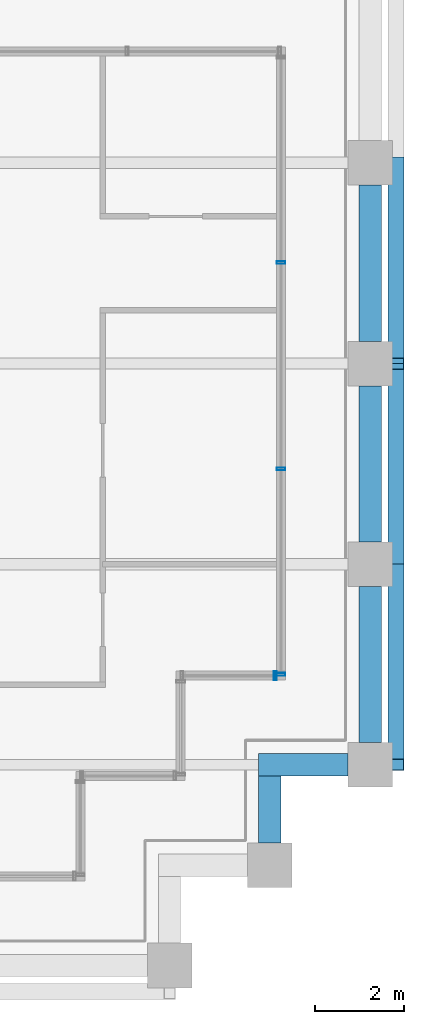
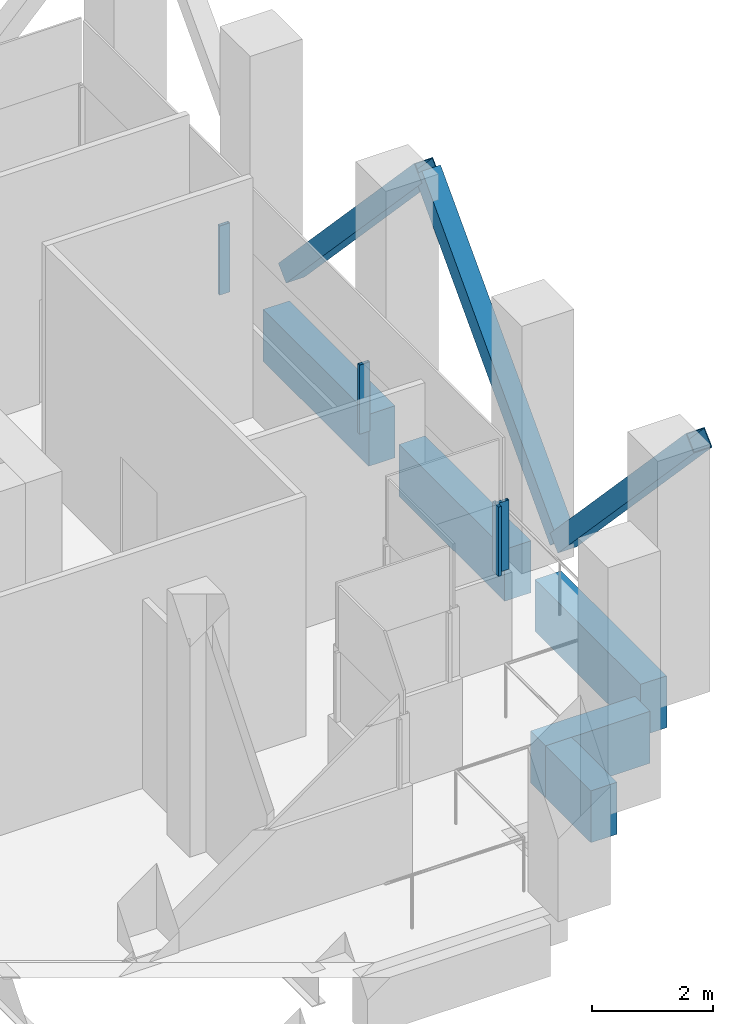
# One storey, part 28 of 48: 7 members, 5 beams, 2 elements without a shape of their own.
"""IFC4 building model written with IfcOpenShell, lengths in metres."""

from ifc_helpers import new_model, si_unit, direction, frame, origin, origin_2d, place, context, subcontext, project, spatial, rectangle, hollow_rectangle, extrude, material, material_profile, profile_set, type_object, element, aggregate, save


model = new_model("IFC4")

# Units and contexts
model_context = context("Model", 3, precision=1e-05, world=origin(), true_north=direction((0.0, 1.0)))
body_context = subcontext(model_context, "Body", "Model", "MODEL_VIEW")
ifc_project = project(units=[si_unit("LENGTHUNIT", "METRE"), si_unit("AREAUNIT", "SQUARE_METRE"), si_unit("VOLUMEUNIT", "CUBIC_METRE"), si_unit("PLANEANGLEUNIT", "RADIAN"), si_unit("MASSUNIT", "GRAM", prefix="KILO")], contexts=[model_context])

# Site, building, storey
site_placement = place(None, origin())
site = spatial("IfcSite", under=ifc_project, at=site_placement, CompositionType="ELEMENT")
building_placement = place(site_placement, origin())
building = spatial("IfcBuilding", under=site, at=building_placement, Name="Altepetl Exchange Towers", CompositionType="ELEMENT")
storey_placement = place(building_placement, frame((0.0, 0.0, 138.800048828125)))
storey = spatial("IfcBuildingStorey", under=building, at=storey_placement, Name="L34 Refuge and sky lobby", CompositionType="ELEMENT", Elevation=138.800048828125)

# Members
ifc_material_1 = material(Name="Steel S355", Category="steel")
ifc_material_profile_1 = material_profile(ifc_material_1, hollow_rectangle(XDim=0.35595703125, YDim=0.35595703125, WallThickness=0.014892578125, at=origin_2d()), Name="HSS356X356X15.9")
ifc_profile_set_1 = profile_set([ifc_material_profile_1], Name="Steel S355")
member_type_1 = type_object("IfcMemberType", Name="Belt diagonal HSS356X356X15.9", PredefinedType="BRACE", material=ifc_profile_set_1)
for number, where, z_axis, x_axis, name in (
    (1, (126.580078125, 31.5, 4.75), (0.0, 0.687744647911, -0.725952683906), (-1.0, 0.0, 0.0), "brc:B:L34:005"),
    (2, (126.580078125, 36.0, 0.0), (0.0, 0.687744647911, 0.725952683906), (-1.0, 0.0, 0.0), "brc:B:L34:006"),
    (3, (126.580078125, 40.5, 4.75), (0.0, 0.687744647911, -0.725952683906), (-1.0, 0.0, 0.0), "brc:B:L34:007"),
):
    element("IfcMember", number, at=place(storey_placement, frame(where, z_axis=z_axis, x_axis=x_axis)), inside=storey, type_object=member_type_1, Name=name, PredefinedType="BRACE", context=body_context, shape_type="SweptSolid", body=[
        extrude(hollow_rectangle(XDim=0.35595703125, YDim=0.35595703125, WallThickness=0.014892578125, at=origin_2d()), origin(), (0.0, 0.0, 1.0), 6.543212890625),
    ])

# Curtain wall, member
ifc_material_2 = material(Name="Aluminium 6063-T6 glazing", Category="aluminium")
curtain_wall_type = type_object("IfcCurtainWallType", Name="Refuge slit glazing system", PredefinedType="NOTDEFINED", material=ifc_material_2)
curtain_wall_1_placement = place(storey_placement, origin())
curtain_wall_1 = element("IfcCurtainWall", 4, at=curtain_wall_1_placement, inside=storey, type_object=curtain_wall_type, Name="CW3 run", PredefinedType="NOTDEFINED")
ifc_material_3 = material(Name="Aluminium 6063-T6", Category="aluminium")
ifc_material_profile_2 = material_profile(ifc_material_3, hollow_rectangle(XDim=0.06005859375, YDim=0.199951171875, WallThickness=0.0029296875, at=origin_2d()), Name="Mullion 60x200 aluminium")
ifc_profile_set_2 = profile_set([ifc_material_profile_2], Name="Aluminium 6063-T6")
member_type_2 = type_object("IfcMemberType", Name="Mullion 60x200 aluminium", PredefinedType="MULLION", material=ifc_profile_set_2)
member_1_placement = place(storey_placement, frame((123.8701171875, 33.5, 1.800048828125)))
member_1 = element("IfcMember", 5, at=member_1_placement, type_object=member_type_2, Name="MU2 mullion", PredefinedType="MULLION", context=body_context, shape_type="SweptSolid", body=[
    extrude(hollow_rectangle(XDim=0.06005859375, YDim=0.199951171875, WallThickness=0.0029296875, at=origin_2d()), origin(), (0.0, 0.0, 1.0), 1.39990234375),
])
aggregate(curtain_wall_1, [member_1])

# Curtain wall, members
curtain_wall_2_placement = place(storey_placement, origin())
curtain_wall_2 = element("IfcCurtainWall", 6, at=curtain_wall_2_placement, inside=storey, type_object=curtain_wall_type, Name="CW3 run", PredefinedType="NOTDEFINED")
member_2_placement = place(storey_placement, frame((124.0, 33.530029296875, 1.800048828125), z_axis=(0.0, 0.0, 1.0), x_axis=(0.0, 1.0, 0.0)))
member_2 = element("IfcMember", 7, at=member_2_placement, type_object=member_type_2, Name="MU2 mullion", PredefinedType="MULLION", context=body_context, shape_type="SweptSolid", body=[
    extrude(hollow_rectangle(XDim=0.06005859375, YDim=0.199951171875, WallThickness=0.0029296875, at=origin_2d()), origin(), (0.0, 0.0, 1.0), 1.39990234375),
])
member_3_placement = place(storey_placement, frame((124.0, 38.13330078125, 1.800048828125), z_axis=(0.0, 0.0, 1.0), x_axis=(0.0, 1.0, 0.0)))
member_3 = element("IfcMember", 8, at=member_3_placement, type_object=member_type_2, Name="MU2 mullion", PredefinedType="MULLION", context=body_context, shape_type="SweptSolid", body=[
    extrude(hollow_rectangle(XDim=0.06005859375, YDim=0.199951171875, WallThickness=0.0029296875, at=origin_2d()), origin(), (0.0, 0.0, 1.0), 1.39990234375),
])
member_4_placement = place(storey_placement, frame((124.0, 42.7666015625, 1.800048828125), z_axis=(0.0, 0.0, 1.0), x_axis=(0.0, 1.0, 0.0)))
member_4 = element("IfcMember", 9, at=member_4_placement, type_object=member_type_2, Name="MU2 mullion", PredefinedType="MULLION", context=body_context, shape_type="SweptSolid", body=[
    extrude(hollow_rectangle(XDim=0.06005859375, YDim=0.199951171875, WallThickness=0.0029296875, at=origin_2d()), origin(), (0.0, 0.0, 1.0), 1.39990234375),
])
aggregate(curtain_wall_2, [member_2, member_3, member_4])

# Beams
ifc_material_4 = material(Name="Concrete C50/60 precast with cantera blanca facing", Category="concrete")
ifc_material_profile_3 = material_profile(ifc_material_4, rectangle(XDim=0.5, YDim=1.050048828125, at=origin_2d()), Name="500 x 1050")
ifc_profile_set_3 = profile_set([ifc_material_profile_3], Name="Concrete C50/60 precast with cantera blanca facing")
beam_type = type_object("IfcBeamType", Name="Spandrel beam 500x1050 cantera blanca", PredefinedType="SPANDREL", material=ifc_profile_set_3)
beam_1_placement = place(storey_placement, frame((123.75, 29.75, -0.72509765625), z_axis=(0.0, 1.0, 0.0), x_axis=(-1.0, 0.0, 0.0)))
element("IfcBeam", 10, at=beam_1_placement, inside=storey, type_object=beam_type, Name="sp:B:L34:007", PredefinedType="SPANDREL", context=body_context, shape_type="SweptSolid", body=[
    extrude(rectangle(XDim=0.5, YDim=1.050048828125, at=origin_2d()), origin(), (0.0, 0.0, 1.0), 1.5),
])
beam_2_placement = place(storey_placement, frame((123.5, 31.5, -0.72509765625), z_axis=(1.0, 0.0, 0.0), x_axis=(0.0, 1.0, 0.0)))
element("IfcBeam", 11, at=beam_2_placement, inside=storey, type_object=beam_type, Name="sp:B:L34:008", PredefinedType="SPANDREL", context=body_context, shape_type="SweptSolid", body=[
    extrude(rectangle(XDim=0.5, YDim=1.050048828125, at=origin_2d()), origin(), (0.0, 0.0, 1.0), 2.0),
])
for number, where, z_axis, x_axis, name in (
    (12, (126.0, 32.0, -0.72509765625), (0.0, 1.0, 0.0), (-1.0, 0.0, 0.0), "sp:B:L34:009"),
    (13, (126.0, 36.5, -0.72509765625), (0.0, 1.0, 0.0), (-1.0, 0.0, 0.0), "sp:B:L34:010"),
    (14, (126.0, 41.0, -0.72509765625), (0.0, 1.0, 0.0), (-1.0, 0.0, 0.0), "sp:B:L34:011"),
):
    element("IfcBeam", number, at=place(storey_placement, frame(where, z_axis=z_axis, x_axis=x_axis)), inside=storey, type_object=beam_type, Name=name, PredefinedType="SPANDREL", context=body_context, shape_type="SweptSolid", body=[
        extrude(rectangle(XDim=0.5, YDim=1.050048828125, at=origin_2d()), origin(), (0.0, 0.0, 1.0), 3.5),
    ])

save(model, "model.ifc")
